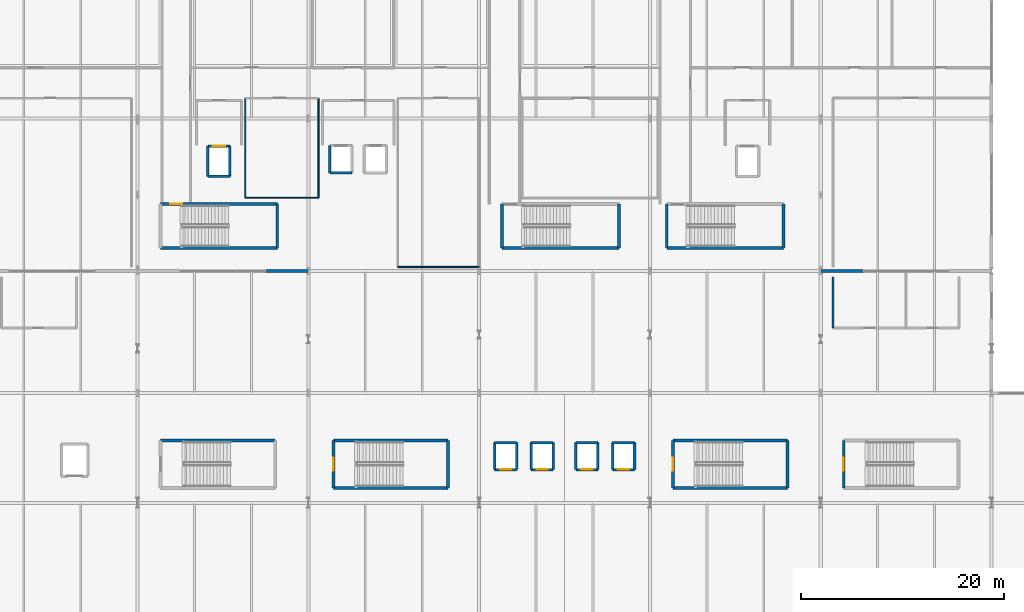
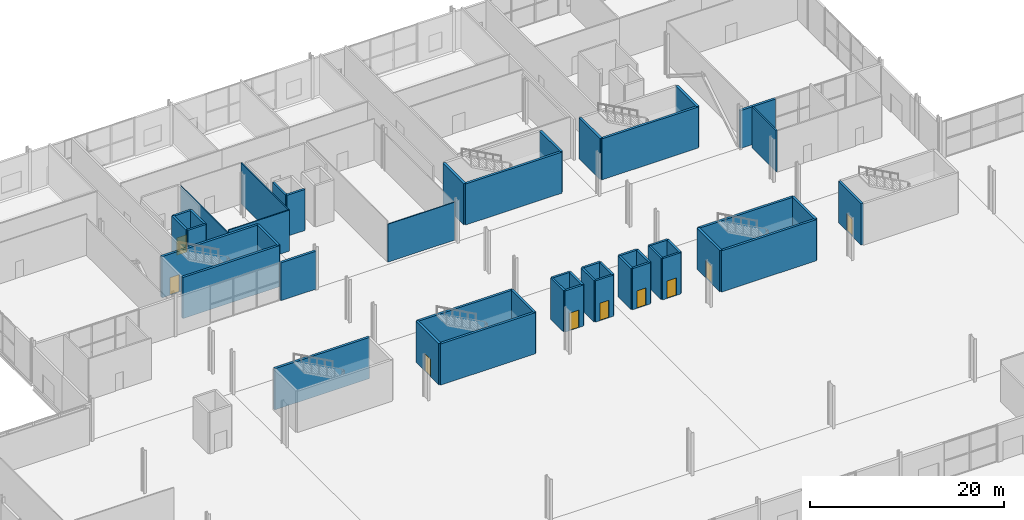
# One storey, part 64 of 87: 48 walls, 9 doors, 9 openings.
"""IFC4 building model written with IfcOpenShell, lengths in metres."""

from ifc_helpers import new_model, si_unit, direction, frame, frame_2d, origin, place, context, subcontext, project, spatial, rectangle, extrude, material, layer, layer_set, type_object, element, fill, save


model = new_model("IFC4")

# Units and contexts
model_context = context("Model", 3, precision=1e-05, world=origin(), true_north=direction((0.0, 1.0)))
body_context = subcontext(model_context, "Body", "Model", "MODEL_VIEW")
ifc_project = project(units=[si_unit("LENGTHUNIT", "METRE"), si_unit("AREAUNIT", "SQUARE_METRE"), si_unit("VOLUMEUNIT", "CUBIC_METRE"), si_unit("PLANEANGLEUNIT", "RADIAN"), si_unit("MASSUNIT", "GRAM", prefix="KILO")], contexts=[model_context])

# Site, building, storey
site_placement = place(None, origin())
site = spatial("IfcSite", under=ifc_project, at=site_placement, CompositionType="ELEMENT")
building_placement = place(site_placement, origin())
building = spatial("IfcBuilding", under=site, at=building_placement, Name="Kimbaza Rail Terminus", CompositionType="ELEMENT")
storey_placement = place(building_placement, origin())
storey = spatial("IfcBuildingStorey", under=building, at=storey_placement, Name="L00", CompositionType="ELEMENT", Elevation=0.0)

# Walls
ifc_material_1 = material(Name="Precast concrete C40/50", Category="concrete")
ifc_layer_1 = layer(ifc_material_1, 0.280029296875)
ifc_layer_set_1 = layer_set([ifc_layer_1], Name="Precast concrete C40/50")
wall_type_1 = type_object("IfcWallType", Name="ARC-WL-EXT280", PredefinedType="STANDARD", material=ifc_layer_set_1)
for number, where, z_axis, x_axis, name in (
    (1, (84.60009765625, 103.0, 0.0), (0.0, 0.0, 1.0), (1.0, 0.0, 0.0), "Operations South Wall L00 1B"),
    (2, (139.199951171875, 103.0, 0.0), (0.0, 0.0, 1.0), (1.0, 0.0, 0.0), "Operations South Wall L00 5A"),
):
    element("IfcWall", number, at=place(storey_placement, frame(where, z_axis=z_axis, x_axis=x_axis)), inside=storey, type_object=wall_type_1, Name=name, PredefinedType="STANDARD", context=body_context, shape_type="SweptSolid", body=[
        extrude(rectangle(XDim=4.199951171875, YDim=0.280029296875, at=frame_2d((2.10009765625, 0.0))), origin(), (0.0, 0.0, 1.0), 4.764892578125),
    ])
ifc_material_2 = material(Name="Demountable acoustic glass wall", Category="glass")
ifc_layer_2 = layer(ifc_material_2, 0.110107421875)
ifc_layer_set_2 = layer_set([ifc_layer_2], Name="Demountable acoustic glass wall")
wall_type_2 = type_object("IfcWallType", Name="ARC-WL-MOV110", PredefinedType="MOVABLE", material=ifc_layer_set_2)
wall_1_placement = place(storey_placement, frame((97.60009765625, 103.39990234375, 0.0), z_axis=(0.0, 0.0, 1.0), x_axis=(1.0, 0.0, 0.0)))
element("IfcWall", 3, at=wall_1_placement, inside=storey, type_object=wall_type_2, Name="L00 Network Dispatch Briefing Room Partition (south)", PredefinedType="MOVABLE", context=body_context, shape_type="SweptSolid", body=[
    extrude(rectangle(XDim=8.0, YDim=0.110107421875, at=frame_2d((4.0, 0.0))), origin(), (0.0, 0.0, 1.0), 4.764892578125),
])
ifc_material_3 = material(Name="Moisture-resistant stud wall", Category="gypsum")
ifc_layer_3 = layer(ifc_material_3, 0.1201171875)
ifc_layer_set_3 = layer_set([ifc_layer_3], Name="Moisture-resistant stud wall")
wall_type_3 = type_object("IfcWallType", Name="ARC-WL-PART120", PredefinedType="PARTITIONING", material=ifc_layer_set_3)
wall_2_placement = place(storey_placement, frame((82.60009765625, 110.199951171875, 0.0), z_axis=(0.0, 0.0, 1.0), x_axis=(1.0, 0.0, 0.0)))
element("IfcWall", 4, at=wall_2_placement, inside=storey, type_object=wall_type_3, Name="L00 Traction Metering Workshop Partition (south)", PredefinedType="PARTITIONING", context=body_context, shape_type="SweptSolid", body=[
    extrude(rectangle(XDim=7.199951171875, YDim=0.1201171875, at=frame_2d((3.60009765625, 0.0))), origin(), (0.0, 0.0, 1.0), 5.159912109375),
])
wall_3_placement = place(storey_placement, frame((89.800048828125, 110.199951171875, 0.0), z_axis=(0.0, 0.0, 1.0), x_axis=(0.0, 1.0, 0.0)))
element("IfcWall", 5, at=wall_3_placement, inside=storey, type_object=wall_type_3, Name="L00 Traction Metering Workshop Partition (east)", PredefinedType="PARTITIONING", context=body_context, shape_type="SweptSolid", body=[
    extrude(rectangle(XDim=9.800048828125, YDim=0.1201171875, at=frame_2d((4.89990234375, 0.0))), origin(), (0.0, 0.0, 1.0), 5.159912109375),
])
wall_4_placement = place(storey_placement, frame((82.60009765625, 120.0, 0.0), z_axis=(0.0, 0.0, 1.0), x_axis=(0.0, -1.0, 0.0)))
element("IfcWall", 6, at=wall_4_placement, inside=storey, type_object=wall_type_3, Name="L00 Traction Metering Workshop Partition (west)", PredefinedType="PARTITIONING", context=body_context, shape_type="SweptSolid", body=[
    extrude(rectangle(XDim=9.800048828125, YDim=0.1201171875, at=frame_2d((4.89990234375, 0.0))), origin(), (0.0, 0.0, 1.0), 4.794921875),
])
ifc_material_4 = material(Name="Moisture-resistant blockwork C25/30", Category="masonry")
ifc_layer_4 = layer(ifc_material_4, 0.169921875)
ifc_layer_set_4 = layer_set([ifc_layer_4], Name="Moisture-resistant blockwork C25/30")
wall_type_4 = type_object("IfcWallType", Name="ARC-WL-PLMB170", PredefinedType="PLUMBINGWALL", material=ifc_layer_set_4)
wall_5_placement = place(storey_placement, frame((140.39990234375, 102.39990234375, 0.0), z_axis=(0.0, 0.0, 1.0), x_axis=(0.0, -1.0, 0.0)))
element("IfcWall", 7, at=wall_5_placement, inside=storey, type_object=wall_type_4, Name="Main Concourse Male WC Partition (west)", PredefinedType="PLUMBINGWALL", context=body_context, shape_type="SweptSolid", body=[
    extrude(rectangle(XDim=5.0, YDim=0.169921875, at=frame_2d((2.5, 0.0))), origin(), (0.0, 0.0, 1.0), 5.159912109375),
])

# Wall, opening, door
ifc_material_5 = material(Name="Concrete C40/50", Category="concrete")
ifc_layer_5 = layer(ifc_material_5, 0.25)
ifc_layer_set_5 = layer_set([ifc_layer_5], Name="Concrete C40/50")
wall_type_5 = type_object("IfcWallType", Name="STR-WL-CORE250", PredefinedType="SHEAR", material=ifc_layer_set_5)
wall_6_placement = place(storey_placement, frame((107.1201171875, 83.469970703125, 0.0), z_axis=(0.0, 0.0, 1.0), x_axis=(1.0, 0.0, 0.0)))
wall_6 = element("IfcWall", 8, at=wall_6_placement, inside=storey, type_object=wall_type_5, Name="Lift Shaft Wall LP-01 L00-1", PredefinedType="SHEAR", context=body_context, shape_type="SweptSolid", body=[
    extrude(rectangle(XDim=2.159912109375, YDim=0.25, at=frame_2d((1.080078125, 0.0))), origin(), (0.0, 0.0, 1.0), 5.179931640625),
])
opening_1_placement = place(wall_6_placement, frame((0.530029296875, 0.0, 0.0)))
opening_1 = element("IfcOpeningElement", 9, at=opening_1_placement, cuts=wall_6, Name="Opening LD-01", PredefinedType="OPENING", context=body_context, shape_type="SweptSolid", body=[
    extrude(rectangle(XDim=1.10009765625, YDim=2.199951171875, at=frame_2d((0.550048828125, 1.10009765625))), frame((0.0, 0.135009765625, 0.0), z_axis=(0.0, -1.0, 0.0), x_axis=(1.0, 0.0, 0.0)), (0.0, 0.0, 1.0), 0.27001953125),
])
ifc_material_6 = material(Name="Brushed stainless steel sliding landing door", Category="steel")
door_type_1 = type_object("IfcDoorType", Name="ARC-DR-LD110", OperationType="NOTDEFINED", PredefinedType="DOOR", material=ifc_material_6)
door_1_placement = place(opening_1_placement, origin())
door_1 = element("IfcDoor", 10, at=door_1_placement, inside=storey, type_object=door_type_1, Name="LDR-LP-01-L00", OperationType="SLIDING_TO_RIGHT", OverallHeight=2.199951171875, OverallWidth=1.10009765625, PredefinedType="DOOR", context=body_context, shape_type="SweptSolid", body=[
    extrude(rectangle(XDim=1.10009765625, YDim=2.199951171875, at=frame_2d((0.550048828125, 1.10009765625))), frame((0.0, 0.02490234375, 0.0), z_axis=(0.0, -1.0, 0.0), x_axis=(1.0, 0.0, 0.0)), (0.0, 0.0, 1.0), 0.050048828125),
])
fill(opening_1, door_1)

# Walls
wall_7_placement = place(storey_placement, frame((109.280029296875, 83.469970703125, 0.0), z_axis=(0.0, 0.0, 1.0), x_axis=(0.0, 1.0, 0.0)))
element("IfcWall", 11, at=wall_7_placement, inside=storey, type_object=wall_type_5, Name="Lift Shaft Wall LP-01 L00-2", PredefinedType="SHEAR", context=body_context, shape_type="SweptSolid", body=[
    extrude(rectangle(XDim=2.659912109375, YDim=0.25, at=frame_2d((1.330078125, 0.0))), origin(), (0.0, 0.0, 1.0), 5.179931640625),
])
wall_8_placement = place(storey_placement, frame((109.280029296875, 86.1298828125, 0.0), z_axis=(0.0, 0.0, 1.0), x_axis=(-1.0, 0.0, 0.0)))
element("IfcWall", 12, at=wall_8_placement, inside=storey, type_object=wall_type_5, Name="Lift Shaft Wall LP-01 L00-3", PredefinedType="SHEAR", context=body_context, shape_type="SweptSolid", body=[
    extrude(rectangle(XDim=2.159912109375, YDim=0.25, at=frame_2d((1.080078125, 0.0))), origin(), (0.0, 0.0, 1.0), 5.179931640625),
])
wall_9_placement = place(storey_placement, frame((107.1201171875, 86.1298828125, 0.0), z_axis=(0.0, 0.0, 1.0), x_axis=(0.0, -1.0, 0.0)))
element("IfcWall", 13, at=wall_9_placement, inside=storey, type_object=wall_type_5, Name="Lift Shaft Wall LP-01 L00-4", PredefinedType="SHEAR", context=body_context, shape_type="SweptSolid", body=[
    extrude(rectangle(XDim=2.659912109375, YDim=0.25, at=frame_2d((1.330078125, 0.0))), origin(), (0.0, 0.0, 1.0), 5.179931640625),
])

# Wall, opening, door
wall_10_placement = place(storey_placement, frame((110.719970703125, 83.469970703125, 0.0), z_axis=(0.0, 0.0, 1.0), x_axis=(1.0, 0.0, 0.0)))
wall_10 = element("IfcWall", 14, at=wall_10_placement, inside=storey, type_object=wall_type_5, Name="Lift Shaft Wall LP-02 L00-1", PredefinedType="SHEAR", context=body_context, shape_type="SweptSolid", body=[
    extrude(rectangle(XDim=2.159912109375, YDim=0.25, at=frame_2d((1.080078125, 0.0))), origin(), (0.0, 0.0, 1.0), 5.179931640625),
])
opening_2_placement = place(wall_10_placement, frame((0.530029296875, 0.0, 0.0)))
opening_2 = element("IfcOpeningElement", 15, at=opening_2_placement, cuts=wall_10, Name="Opening LD-01", PredefinedType="OPENING", context=body_context, shape_type="SweptSolid", body=[
    extrude(rectangle(XDim=1.10009765625, YDim=2.199951171875, at=frame_2d((0.550048828125, 1.10009765625))), frame((0.0, 0.135009765625, 0.0), z_axis=(0.0, -1.0, 0.0), x_axis=(1.0, 0.0, 0.0)), (0.0, 0.0, 1.0), 0.27001953125),
])
door_2_placement = place(opening_2_placement, origin())
door_2 = element("IfcDoor", 16, at=door_2_placement, inside=storey, type_object=door_type_1, Name="LDR-LP-02-L00", OperationType="SLIDING_TO_RIGHT", OverallHeight=2.199951171875, OverallWidth=1.10009765625, PredefinedType="DOOR", context=body_context, shape_type="SweptSolid", body=[
    extrude(rectangle(XDim=1.10009765625, YDim=2.199951171875, at=frame_2d((0.550048828125, 1.10009765625))), frame((0.0, 0.02490234375, 0.0), z_axis=(0.0, -1.0, 0.0), x_axis=(1.0, 0.0, 0.0)), (0.0, 0.0, 1.0), 0.050048828125),
])
fill(opening_2, door_2)

# Walls
wall_11_placement = place(storey_placement, frame((112.8798828125, 83.469970703125, 0.0), z_axis=(0.0, 0.0, 1.0), x_axis=(0.0, 1.0, 0.0)))
element("IfcWall", 17, at=wall_11_placement, inside=storey, type_object=wall_type_5, Name="Lift Shaft Wall LP-02 L00-2", PredefinedType="SHEAR", context=body_context, shape_type="SweptSolid", body=[
    extrude(rectangle(XDim=2.659912109375, YDim=0.25, at=frame_2d((1.330078125, 0.0))), origin(), (0.0, 0.0, 1.0), 5.179931640625),
])
wall_12_placement = place(storey_placement, frame((112.8798828125, 86.1298828125, 0.0), z_axis=(0.0, 0.0, 1.0), x_axis=(-1.0, 0.0, 0.0)))
element("IfcWall", 18, at=wall_12_placement, inside=storey, type_object=wall_type_5, Name="Lift Shaft Wall LP-02 L00-3", PredefinedType="SHEAR", context=body_context, shape_type="SweptSolid", body=[
    extrude(rectangle(XDim=2.159912109375, YDim=0.25, at=frame_2d((1.080078125, 0.0))), origin(), (0.0, 0.0, 1.0), 5.179931640625),
])
wall_13_placement = place(storey_placement, frame((110.719970703125, 86.1298828125, 0.0), z_axis=(0.0, 0.0, 1.0), x_axis=(0.0, -1.0, 0.0)))
element("IfcWall", 19, at=wall_13_placement, inside=storey, type_object=wall_type_5, Name="Lift Shaft Wall LP-02 L00-4", PredefinedType="SHEAR", context=body_context, shape_type="SweptSolid", body=[
    extrude(rectangle(XDim=2.659912109375, YDim=0.25, at=frame_2d((1.330078125, 0.0))), origin(), (0.0, 0.0, 1.0), 5.179931640625),
])

# Wall, opening, door
wall_14_placement = place(storey_placement, frame((115.1201171875, 83.469970703125, 0.0), z_axis=(0.0, 0.0, 1.0), x_axis=(1.0, 0.0, 0.0)))
wall_14 = element("IfcWall", 20, at=wall_14_placement, inside=storey, type_object=wall_type_5, Name="Lift Shaft Wall LP-03 L00-1", PredefinedType="SHEAR", context=body_context, shape_type="SweptSolid", body=[
    extrude(rectangle(XDim=2.159912109375, YDim=0.25, at=frame_2d((1.080078125, 0.0))), origin(), (0.0, 0.0, 1.0), 5.179931640625),
])
opening_3_placement = place(wall_14_placement, frame((0.530029296875, 0.0, 0.0)))
opening_3 = element("IfcOpeningElement", 21, at=opening_3_placement, cuts=wall_14, Name="Opening LD-01", PredefinedType="OPENING", context=body_context, shape_type="SweptSolid", body=[
    extrude(rectangle(XDim=1.10009765625, YDim=2.199951171875, at=frame_2d((0.550048828125, 1.10009765625))), frame((0.0, 0.135009765625, 0.0), z_axis=(0.0, -1.0, 0.0), x_axis=(1.0, 0.0, 0.0)), (0.0, 0.0, 1.0), 0.27001953125),
])
door_3_placement = place(opening_3_placement, origin())
door_3 = element("IfcDoor", 22, at=door_3_placement, inside=storey, type_object=door_type_1, Name="LDR-LP-03-L00", OperationType="SLIDING_TO_RIGHT", OverallHeight=2.199951171875, OverallWidth=1.10009765625, PredefinedType="DOOR", context=body_context, shape_type="SweptSolid", body=[
    extrude(rectangle(XDim=1.10009765625, YDim=2.199951171875, at=frame_2d((0.550048828125, 1.10009765625))), frame((0.0, 0.02490234375, 0.0), z_axis=(0.0, -1.0, 0.0), x_axis=(1.0, 0.0, 0.0)), (0.0, 0.0, 1.0), 0.050048828125),
])
fill(opening_3, door_3)

# Walls
wall_15_placement = place(storey_placement, frame((117.280029296875, 83.469970703125, 0.0), z_axis=(0.0, 0.0, 1.0), x_axis=(0.0, 1.0, 0.0)))
element("IfcWall", 23, at=wall_15_placement, inside=storey, type_object=wall_type_5, Name="Lift Shaft Wall LP-03 L00-2", PredefinedType="SHEAR", context=body_context, shape_type="SweptSolid", body=[
    extrude(rectangle(XDim=2.659912109375, YDim=0.25, at=frame_2d((1.330078125, 0.0))), origin(), (0.0, 0.0, 1.0), 5.179931640625),
])
wall_16_placement = place(storey_placement, frame((117.280029296875, 86.1298828125, 0.0), z_axis=(0.0, 0.0, 1.0), x_axis=(-1.0, 0.0, 0.0)))
element("IfcWall", 24, at=wall_16_placement, inside=storey, type_object=wall_type_5, Name="Lift Shaft Wall LP-03 L00-3", PredefinedType="SHEAR", context=body_context, shape_type="SweptSolid", body=[
    extrude(rectangle(XDim=2.159912109375, YDim=0.25, at=frame_2d((1.080078125, 0.0))), origin(), (0.0, 0.0, 1.0), 5.179931640625),
])
wall_17_placement = place(storey_placement, frame((115.1201171875, 86.1298828125, 0.0), z_axis=(0.0, 0.0, 1.0), x_axis=(0.0, -1.0, 0.0)))
element("IfcWall", 25, at=wall_17_placement, inside=storey, type_object=wall_type_5, Name="Lift Shaft Wall LP-03 L00-4", PredefinedType="SHEAR", context=body_context, shape_type="SweptSolid", body=[
    extrude(rectangle(XDim=2.659912109375, YDim=0.25, at=frame_2d((1.330078125, 0.0))), origin(), (0.0, 0.0, 1.0), 5.179931640625),
])

# Wall, opening, door
wall_18_placement = place(storey_placement, frame((118.719970703125, 83.469970703125, 0.0), z_axis=(0.0, 0.0, 1.0), x_axis=(1.0, 0.0, 0.0)))
wall_18 = element("IfcWall", 26, at=wall_18_placement, inside=storey, type_object=wall_type_5, Name="Lift Shaft Wall LP-04 L00-1", PredefinedType="SHEAR", context=body_context, shape_type="SweptSolid", body=[
    extrude(rectangle(XDim=2.159912109375, YDim=0.25, at=frame_2d((1.080078125, 0.0))), origin(), (0.0, 0.0, 1.0), 5.179931640625),
])
opening_4_placement = place(wall_18_placement, frame((0.530029296875, 0.0, 0.0)))
opening_4 = element("IfcOpeningElement", 27, at=opening_4_placement, cuts=wall_18, Name="Opening LD-01", PredefinedType="OPENING", context=body_context, shape_type="SweptSolid", body=[
    extrude(rectangle(XDim=1.10009765625, YDim=2.199951171875, at=frame_2d((0.550048828125, 1.10009765625))), frame((0.0, 0.135009765625, 0.0), z_axis=(0.0, -1.0, 0.0), x_axis=(1.0, 0.0, 0.0)), (0.0, 0.0, 1.0), 0.27001953125),
])
door_4_placement = place(opening_4_placement, origin())
door_4 = element("IfcDoor", 28, at=door_4_placement, inside=storey, type_object=door_type_1, Name="LDR-LP-04-L00", OperationType="SLIDING_TO_RIGHT", OverallHeight=2.199951171875, OverallWidth=1.10009765625, PredefinedType="DOOR", context=body_context, shape_type="SweptSolid", body=[
    extrude(rectangle(XDim=1.10009765625, YDim=2.199951171875, at=frame_2d((0.550048828125, 1.10009765625))), frame((0.0, 0.02490234375, 0.0), z_axis=(0.0, -1.0, 0.0), x_axis=(1.0, 0.0, 0.0)), (0.0, 0.0, 1.0), 0.050048828125),
])
fill(opening_4, door_4)

# Walls
wall_19_placement = place(storey_placement, frame((120.8798828125, 83.469970703125, 0.0), z_axis=(0.0, 0.0, 1.0), x_axis=(0.0, 1.0, 0.0)))
element("IfcWall", 29, at=wall_19_placement, inside=storey, type_object=wall_type_5, Name="Lift Shaft Wall LP-04 L00-2", PredefinedType="SHEAR", context=body_context, shape_type="SweptSolid", body=[
    extrude(rectangle(XDim=2.659912109375, YDim=0.25, at=frame_2d((1.330078125, 0.0))), origin(), (0.0, 0.0, 1.0), 5.179931640625),
])
wall_20_placement = place(storey_placement, frame((120.8798828125, 86.1298828125, 0.0), z_axis=(0.0, 0.0, 1.0), x_axis=(-1.0, 0.0, 0.0)))
element("IfcWall", 30, at=wall_20_placement, inside=storey, type_object=wall_type_5, Name="Lift Shaft Wall LP-04 L00-3", PredefinedType="SHEAR", context=body_context, shape_type="SweptSolid", body=[
    extrude(rectangle(XDim=2.159912109375, YDim=0.25, at=frame_2d((1.080078125, 0.0))), origin(), (0.0, 0.0, 1.0), 5.179931640625),
])
wall_21_placement = place(storey_placement, frame((118.719970703125, 86.1298828125, 0.0), z_axis=(0.0, 0.0, 1.0), x_axis=(0.0, -1.0, 0.0)))
element("IfcWall", 31, at=wall_21_placement, inside=storey, type_object=wall_type_5, Name="Lift Shaft Wall LP-04 L00-4", PredefinedType="SHEAR", context=body_context, shape_type="SweptSolid", body=[
    extrude(rectangle(XDim=2.659912109375, YDim=0.25, at=frame_2d((1.330078125, 0.0))), origin(), (0.0, 0.0, 1.0), 5.179931640625),
])
wall_22_placement = place(storey_placement, frame((90.919921875, 112.669921875, 0.0), z_axis=(0.0, 0.0, 1.0), x_axis=(1.0, 0.0, 0.0)))
element("IfcWall", 32, at=wall_22_placement, inside=storey, type_object=wall_type_5, Name="Lift Shaft Wall LP-08 L00-1", PredefinedType="SHEAR", context=body_context, shape_type="SweptSolid", body=[
    extrude(rectangle(XDim=2.16015625, YDim=0.25, at=frame_2d((1.080078125, 0.0))), origin(), (0.0, 0.0, 1.0), 5.159912109375),
])
wall_23_placement = place(storey_placement, frame((90.919921875, 115.330078125, 0.0), z_axis=(0.0, 0.0, 1.0), x_axis=(0.0, -1.0, 0.0)))
element("IfcWall", 33, at=wall_23_placement, inside=storey, type_object=wall_type_5, Name="Lift Shaft Wall LP-08 L00-4", PredefinedType="SHEAR", context=body_context, shape_type="SweptSolid", body=[
    extrude(rectangle(XDim=2.66015625, YDim=0.25, at=frame_2d((1.330078125, 0.0))), origin(), (0.0, 0.0, 1.0), 5.159912109375),
])
wall_24_placement = place(storey_placement, frame((78.919921875, 112.320068359375, 0.0), z_axis=(0.0, 0.0, 1.0), x_axis=(1.0, 0.0, 0.0)))
element("IfcWall", 34, at=wall_24_placement, inside=storey, type_object=wall_type_5, Name="Lift Shaft Wall LF-01 L00-1", PredefinedType="SHEAR", context=body_context, shape_type="SweptSolid", body=[
    extrude(rectangle(XDim=2.16015625, YDim=0.25, at=frame_2d((1.080078125, 0.0))), origin(), (0.0, 0.0, 1.0), 5.159912109375),
])
wall_25_placement = place(storey_placement, frame((81.080078125, 112.320068359375, 0.0), z_axis=(0.0, 0.0, 1.0), x_axis=(0.0, 1.0, 0.0)))
element("IfcWall", 35, at=wall_25_placement, inside=storey, type_object=wall_type_5, Name="Lift Shaft Wall LF-01 L00-2", PredefinedType="SHEAR", context=body_context, shape_type="SweptSolid", body=[
    extrude(rectangle(XDim=2.9599609375, YDim=0.25, at=frame_2d((1.47998046875, 0.0))), origin(), (0.0, 0.0, 1.0), 5.159912109375),
])

# Wall, opening, door
wall_26_placement = place(storey_placement, frame((81.080078125, 115.280029296875, 0.0), z_axis=(0.0, 0.0, 1.0), x_axis=(-1.0, 0.0, 0.0)))
wall_26 = element("IfcWall", 36, at=wall_26_placement, inside=storey, type_object=wall_type_5, Name="Lift Shaft Wall LF-01 L00-3", PredefinedType="SHEAR", context=body_context, shape_type="SweptSolid", body=[
    extrude(rectangle(XDim=2.16015625, YDim=0.25, at=frame_2d((1.080078125, 0.0))), origin(), (0.0, 0.0, 1.0), 5.159912109375),
])
opening_5_placement = place(wall_26_placement, frame((0.47998046875, 0.0, 0.0)))
opening_5 = element("IfcOpeningElement", 37, at=opening_5_placement, cuts=wall_26, Name="Opening LD-02", PredefinedType="OPENING", context=body_context, shape_type="SweptSolid", body=[
    extrude(rectangle(XDim=1.199951171875, YDim=2.199951171875, at=frame_2d((0.60009765625, 1.10009765625))), frame((0.0, 0.135009765625, 0.0), z_axis=(0.0, -1.0, 0.0), x_axis=(1.0, 0.0, 0.0)), (0.0, 0.0, 1.0), 0.27001953125),
])
ifc_material_7 = material(Name="Firefighting stainless steel landing door", Category="steel")
door_type_2 = type_object("IfcDoorType", Name="ARC-DR-LD120", OperationType="NOTDEFINED", PredefinedType="DOOR", material=ifc_material_7)
door_5_placement = place(opening_5_placement, origin())
door_5 = element("IfcDoor", 38, at=door_5_placement, inside=storey, type_object=door_type_2, Name="LDR-LF-01-L00", OperationType="SLIDING_TO_RIGHT", OverallHeight=2.199951171875, OverallWidth=1.199951171875, PredefinedType="DOOR", context=body_context, shape_type="SweptSolid", body=[
    extrude(rectangle(XDim=1.199951171875, YDim=2.199951171875, at=frame_2d((0.60009765625, 1.10009765625))), frame((0.0, 0.02490234375, 0.0), z_axis=(0.0, -1.0, 0.0), x_axis=(1.0, 0.0, 0.0)), (0.0, 0.0, 1.0), 0.050048828125),
])
fill(opening_5, door_5)

# Walls
wall_27_placement = place(storey_placement, frame((78.919921875, 115.280029296875, 0.0), z_axis=(0.0, 0.0, 1.0), x_axis=(0.0, -1.0, 0.0)))
element("IfcWall", 39, at=wall_27_placement, inside=storey, type_object=wall_type_5, Name="Lift Shaft Wall LF-01 L00-4", PredefinedType="SHEAR", context=body_context, shape_type="SweptSolid", body=[
    extrude(rectangle(XDim=2.9599609375, YDim=0.25, at=frame_2d((1.47998046875, 0.0))), origin(), (0.0, 0.0, 1.0), 5.159912109375),
])
ifc_material_8 = material(Name="Concrete C40/50", Category="concrete")
ifc_layer_6 = layer(ifc_material_8, 0.280029296875)
ifc_layer_set_6 = layer_set([ifc_layer_6], Name="Concrete C40/50")
wall_type_6 = type_object("IfcWallType", Name="STR-WL-CORE280", PredefinedType="SHEAR", material=ifc_layer_set_6)
wall_28_placement = place(storey_placement, frame((74.260009765625, 105.260009765625, 0.0), z_axis=(0.0, 0.0, 1.0), x_axis=(1.0, 0.0, 0.0)))
element("IfcWall", 40, at=wall_28_placement, inside=storey, type_object=wall_type_6, Name="Operations West Exit Stair Shaft Wall L00-1", PredefinedType="SHEAR", context=body_context, shape_type="SweptSolid", body=[
    extrude(rectangle(XDim=11.47998046875, YDim=0.280029296875, at=frame_2d((5.739990234375, 0.0))), origin(), (0.0, 0.0, 1.0), 5.159912109375),
])
wall_29_placement = place(storey_placement, frame((85.739990234375, 105.260009765625, 0.0), z_axis=(0.0, 0.0, 1.0), x_axis=(0.0, 1.0, 0.0)))
element("IfcWall", 41, at=wall_29_placement, inside=storey, type_object=wall_type_6, Name="Operations West Exit Stair Shaft Wall L00-2", PredefinedType="SHEAR", context=body_context, shape_type="SweptSolid", body=[
    extrude(rectangle(XDim=4.320068359375, YDim=0.280029296875, at=frame_2d((2.16015625, 0.0))), origin(), (0.0, 0.0, 1.0), 5.159912109375),
])

# Wall, opening, door
wall_30_placement = place(storey_placement, frame((85.739990234375, 109.580078125, 0.0), z_axis=(0.0, 0.0, 1.0), x_axis=(-1.0, 0.0, 0.0)))
wall_30 = element("IfcWall", 42, at=wall_30_placement, inside=storey, type_object=wall_type_6, Name="Operations West Exit Stair Shaft Wall L00-3", PredefinedType="SHEAR", context=body_context, shape_type="SweptSolid", body=[
    extrude(rectangle(XDim=11.47998046875, YDim=0.280029296875, at=frame_2d((5.739990234375, 0.0))), origin(), (0.0, 0.0, 1.0), 5.159912109375),
])
opening_6_placement = place(wall_30_placement, frame((9.364990234375, 0.0, 0.0)))
opening_6 = element("IfcOpeningElement", 43, at=opening_6_placement, cuts=wall_30, Name="Opening FD-03", PredefinedType="OPENING", context=body_context, shape_type="SweptSolid", body=[
    extrude(rectangle(XDim=1.14990234375, YDim=2.199951171875, at=frame_2d((0.574951171875, 1.10009765625))), frame((0.0, 0.14990234375, 0.0), z_axis=(0.0, -1.0, 0.0), x_axis=(1.0, 0.0, 0.0)), (0.0, 0.0, 1.0), 0.300048828125),
])
ifc_material_9 = material(Name="Firefighting lobby self-closing steel door", Category="steel")
door_type_3 = type_object("IfcDoorType", Name="ARC-DR-FD115", OperationType="NOTDEFINED", PredefinedType="DOOR", material=ifc_material_9)
door_6_placement = place(opening_6_placement, origin())
door_6 = element("IfcDoor", 44, at=door_6_placement, inside=storey, type_object=door_type_3, Name="SDR-ST-W1-L00", OperationType="SINGLE_SWING_RIGHT", OverallHeight=2.199951171875, OverallWidth=1.14990234375, PredefinedType="DOOR", context=body_context, shape_type="SweptSolid", body=[
    extrude(rectangle(XDim=1.14990234375, YDim=2.199951171875, at=frame_2d((0.574951171875, 1.10009765625))), frame((0.0, 0.02490234375, 0.0), z_axis=(0.0, -1.0, 0.0), x_axis=(1.0, 0.0, 0.0)), (0.0, 0.0, 1.0), 0.050048828125),
])
fill(opening_6, door_6)

# Walls
wall_31_placement = place(storey_placement, frame((107.860107421875, 105.260009765625, 0.0), z_axis=(0.0, 0.0, 1.0), x_axis=(1.0, 0.0, 0.0)))
element("IfcWall", 45, at=wall_31_placement, inside=storey, type_object=wall_type_6, Name="Operations Central Exit Stair Shaft Wall L00-1", PredefinedType="SHEAR", context=body_context, shape_type="SweptSolid", body=[
    extrude(rectangle(XDim=11.47998046875, YDim=0.280029296875, at=frame_2d((5.739990234375, 0.0))), origin(), (0.0, 0.0, 1.0), 5.159912109375),
])
for number, where, z_axis, x_axis, name in (
    (46, (119.340087890625, 105.260009765625, 0.0), (0.0, 0.0, 1.0), (0.0, 1.0, 0.0), "Operations Central Exit Stair Shaft Wall L00-2"),
    (47, (107.860107421875, 109.580078125, 0.0), (0.0, 0.0, 1.0), (0.0, -1.0, 0.0), "Operations Central Exit Stair Shaft Wall L00-4"),
):
    element("IfcWall", number, at=place(storey_placement, frame(where, z_axis=z_axis, x_axis=x_axis)), inside=storey, type_object=wall_type_6, Name=name, PredefinedType="SHEAR", context=body_context, shape_type="SweptSolid", body=[
        extrude(rectangle(XDim=4.320068359375, YDim=0.280029296875, at=frame_2d((2.16015625, 0.0))), origin(), (0.0, 0.0, 1.0), 5.159912109375),
    ])
wall_32_placement = place(storey_placement, frame((124.06005859375, 105.260009765625, 0.0), z_axis=(0.0, 0.0, 1.0), x_axis=(1.0, 0.0, 0.0)))
element("IfcWall", 48, at=wall_32_placement, inside=storey, type_object=wall_type_6, Name="Operations East Exit Stair Shaft Wall L00-1", PredefinedType="SHEAR", context=body_context, shape_type="SweptSolid", body=[
    extrude(rectangle(XDim=11.47998046875, YDim=0.280029296875, at=frame_2d((5.739990234375, 0.0))), origin(), (0.0, 0.0, 1.0), 5.159912109375),
])
for number, where, z_axis, x_axis, name in (
    (49, (135.5400390625, 105.260009765625, 0.0), (0.0, 0.0, 1.0), (0.0, 1.0, 0.0), "Operations East Exit Stair Shaft Wall L00-2"),
    (50, (124.06005859375, 109.580078125, 0.0), (0.0, 0.0, 1.0), (0.0, -1.0, 0.0), "Operations East Exit Stair Shaft Wall L00-4"),
):
    element("IfcWall", number, at=place(storey_placement, frame(where, z_axis=z_axis, x_axis=x_axis)), inside=storey, type_object=wall_type_6, Name=name, PredefinedType="SHEAR", context=body_context, shape_type="SweptSolid", body=[
        extrude(rectangle(XDim=4.320068359375, YDim=0.280029296875, at=frame_2d((2.16015625, 0.0))), origin(), (0.0, 0.0, 1.0), 5.159912109375),
    ])
wall_33_placement = place(storey_placement, frame((85.5400390625, 86.340087890625, 0.0), z_axis=(0.0, 0.0, 1.0), x_axis=(-1.0, 0.0, 0.0)))
element("IfcWall", 51, at=wall_33_placement, inside=storey, type_object=wall_type_6, Name="Platform West Concourse Stair Shaft Wall L00-3", PredefinedType="SHEAR", context=body_context, shape_type="SweptSolid", body=[
    extrude(rectangle(XDim=11.280029296875, YDim=0.280029296875, at=frame_2d((5.64013671875, 0.0))), origin(), (0.0, 0.0, 1.0), 5.179931640625),
])

# Wall, opening, door
wall_34_placement = place(storey_placement, frame((141.4599609375, 86.340087890625, 0.0), z_axis=(0.0, 0.0, 1.0), x_axis=(0.0, -1.0, 0.0)))
wall_34 = element("IfcWall", 52, at=wall_34_placement, inside=storey, type_object=wall_type_6, Name="Platform East Concourse Stair Shaft Wall L00-4", PredefinedType="SHEAR", context=body_context, shape_type="SweptSolid", body=[
    extrude(rectangle(XDim=4.68017578125, YDim=0.280029296875, at=frame_2d((2.340087890625, 0.0))), origin(), (0.0, 0.0, 1.0), 5.179931640625),
])
opening_7_placement = place(wall_34_placement, frame((1.715087890625, 0.0, 0.0)))
opening_7 = element("IfcOpeningElement", 53, at=opening_7_placement, cuts=wall_34, Name="Opening FD-02", PredefinedType="OPENING", context=body_context, shape_type="SweptSolid", body=[
    extrude(rectangle(XDim=1.25, YDim=2.199951171875, at=frame_2d((0.625, 1.10009765625))), frame((0.0, 0.14990234375, 0.0), z_axis=(0.0, -1.0, 0.0), x_axis=(1.0, 0.0, 0.0)), (0.0, 0.0, 1.0), 0.300048828125),
])
ifc_material_10 = material(Name="Galvanised painted steel fire stair door", Category="steel")
door_type_4 = type_object("IfcDoorType", Name="ARC-DR-FD125", OperationType="NOTDEFINED", PredefinedType="DOOR", material=ifc_material_10)
door_7_placement = place(opening_7_placement, origin())
door_7 = element("IfcDoor", 54, at=door_7_placement, inside=storey, type_object=door_type_4, Name="SDR-ST-C2-L00", OperationType="SINGLE_SWING_RIGHT", OverallHeight=2.199951171875, OverallWidth=1.25, PredefinedType="DOOR", context=body_context, shape_type="SweptSolid", body=[
    extrude(rectangle(XDim=1.25, YDim=2.199951171875, at=frame_2d((0.625, 1.10009765625))), frame((0.0, 0.02490234375, 0.0), z_axis=(0.0, -1.0, 0.0), x_axis=(1.0, 0.0, 0.0)), (0.0, 0.0, 1.0), 0.050048828125),
])
fill(opening_7, door_7)

# Walls
wall_35_placement = place(storey_placement, frame((91.260009765625, 81.659912109375, 0.0), z_axis=(0.0, 0.0, 1.0), x_axis=(1.0, 0.0, 0.0)))
element("IfcWall", 55, at=wall_35_placement, inside=storey, type_object=wall_type_6, Name="Footbridge West Platform Stair Shaft Wall L00-1", PredefinedType="SHEAR", context=body_context, shape_type="SweptSolid", body=[
    extrude(rectangle(XDim=11.280029296875, YDim=0.280029296875, at=frame_2d((5.64013671875, 0.0))), origin(), (0.0, 0.0, 1.0), 5.179931640625),
])
wall_36_placement = place(storey_placement, frame((102.5400390625, 81.659912109375, 0.0), z_axis=(0.0, 0.0, 1.0), x_axis=(0.0, 1.0, 0.0)))
element("IfcWall", 56, at=wall_36_placement, inside=storey, type_object=wall_type_6, Name="Footbridge West Platform Stair Shaft Wall L00-2", PredefinedType="SHEAR", context=body_context, shape_type="SweptSolid", body=[
    extrude(rectangle(XDim=4.68017578125, YDim=0.280029296875, at=frame_2d((2.340087890625, 0.0))), origin(), (0.0, 0.0, 1.0), 5.179931640625),
])
wall_37_placement = place(storey_placement, frame((102.5400390625, 86.340087890625, 0.0), z_axis=(0.0, 0.0, 1.0), x_axis=(-1.0, 0.0, 0.0)))
element("IfcWall", 57, at=wall_37_placement, inside=storey, type_object=wall_type_6, Name="Footbridge West Platform Stair Shaft Wall L00-3", PredefinedType="SHEAR", context=body_context, shape_type="SweptSolid", body=[
    extrude(rectangle(XDim=11.280029296875, YDim=0.280029296875, at=frame_2d((5.64013671875, 0.0))), origin(), (0.0, 0.0, 1.0), 5.179931640625),
])

# Wall, opening, door
wall_38_placement = place(storey_placement, frame((91.260009765625, 86.340087890625, 0.0), z_axis=(0.0, 0.0, 1.0), x_axis=(0.0, -1.0, 0.0)))
wall_38 = element("IfcWall", 58, at=wall_38_placement, inside=storey, type_object=wall_type_6, Name="Footbridge West Platform Stair Shaft Wall L00-4", PredefinedType="SHEAR", context=body_context, shape_type="SweptSolid", body=[
    extrude(rectangle(XDim=4.68017578125, YDim=0.280029296875, at=frame_2d((2.340087890625, 0.0))), origin(), (0.0, 0.0, 1.0), 5.179931640625),
])
opening_8_placement = place(wall_38_placement, frame((1.715087890625, 0.0, 0.0)))
opening_8 = element("IfcOpeningElement", 59, at=opening_8_placement, cuts=wall_38, Name="Opening FD-02", PredefinedType="OPENING", context=body_context, shape_type="SweptSolid", body=[
    extrude(rectangle(XDim=1.25, YDim=2.199951171875, at=frame_2d((0.625, 1.10009765625))), frame((0.0, 0.14990234375, 0.0), z_axis=(0.0, -1.0, 0.0), x_axis=(1.0, 0.0, 0.0)), (0.0, 0.0, 1.0), 0.300048828125),
])
door_8_placement = place(opening_8_placement, origin())
door_8 = element("IfcDoor", 60, at=door_8_placement, inside=storey, type_object=door_type_4, Name="SDR-ST-C3-L00", OperationType="SINGLE_SWING_RIGHT", OverallHeight=2.199951171875, OverallWidth=1.25, PredefinedType="DOOR", context=body_context, shape_type="SweptSolid", body=[
    extrude(rectangle(XDim=1.25, YDim=2.199951171875, at=frame_2d((0.625, 1.10009765625))), frame((0.0, 0.02490234375, 0.0), z_axis=(0.0, -1.0, 0.0), x_axis=(1.0, 0.0, 0.0)), (0.0, 0.0, 1.0), 0.050048828125),
])
fill(opening_8, door_8)

# Walls
wall_39_placement = place(storey_placement, frame((124.659912109375, 81.659912109375, 0.0), z_axis=(0.0, 0.0, 1.0), x_axis=(1.0, 0.0, 0.0)))
element("IfcWall", 61, at=wall_39_placement, inside=storey, type_object=wall_type_6, Name="Footbridge East Platform Stair Shaft Wall L00-1", PredefinedType="SHEAR", context=body_context, shape_type="SweptSolid", body=[
    extrude(rectangle(XDim=11.280029296875, YDim=0.280029296875, at=frame_2d((5.64013671875, 0.0))), origin(), (0.0, 0.0, 1.0), 5.179931640625),
])
wall_40_placement = place(storey_placement, frame((135.93994140625, 81.659912109375, 0.0), z_axis=(0.0, 0.0, 1.0), x_axis=(0.0, 1.0, 0.0)))
element("IfcWall", 62, at=wall_40_placement, inside=storey, type_object=wall_type_6, Name="Footbridge East Platform Stair Shaft Wall L00-2", PredefinedType="SHEAR", context=body_context, shape_type="SweptSolid", body=[
    extrude(rectangle(XDim=4.68017578125, YDim=0.280029296875, at=frame_2d((2.340087890625, 0.0))), origin(), (0.0, 0.0, 1.0), 5.179931640625),
])
wall_41_placement = place(storey_placement, frame((135.93994140625, 86.340087890625, 0.0), z_axis=(0.0, 0.0, 1.0), x_axis=(-1.0, 0.0, 0.0)))
element("IfcWall", 63, at=wall_41_placement, inside=storey, type_object=wall_type_6, Name="Footbridge East Platform Stair Shaft Wall L00-3", PredefinedType="SHEAR", context=body_context, shape_type="SweptSolid", body=[
    extrude(rectangle(XDim=11.280029296875, YDim=0.280029296875, at=frame_2d((5.64013671875, 0.0))), origin(), (0.0, 0.0, 1.0), 5.179931640625),
])

# Wall, opening, door
wall_42_placement = place(storey_placement, frame((124.659912109375, 86.340087890625, 0.0), z_axis=(0.0, 0.0, 1.0), x_axis=(0.0, -1.0, 0.0)))
wall_42 = element("IfcWall", 64, at=wall_42_placement, inside=storey, type_object=wall_type_6, Name="Footbridge East Platform Stair Shaft Wall L00-4", PredefinedType="SHEAR", context=body_context, shape_type="SweptSolid", body=[
    extrude(rectangle(XDim=4.68017578125, YDim=0.280029296875, at=frame_2d((2.340087890625, 0.0))), origin(), (0.0, 0.0, 1.0), 5.179931640625),
])
opening_9_placement = place(wall_42_placement, frame((1.715087890625, 0.0, 0.0)))
opening_9 = element("IfcOpeningElement", 65, at=opening_9_placement, cuts=wall_42, Name="Opening FD-02", PredefinedType="OPENING", context=body_context, shape_type="SweptSolid", body=[
    extrude(rectangle(XDim=1.25, YDim=2.199951171875, at=frame_2d((0.625, 1.10009765625))), frame((0.0, 0.14990234375, 0.0), z_axis=(0.0, -1.0, 0.0), x_axis=(1.0, 0.0, 0.0)), (0.0, 0.0, 1.0), 0.300048828125),
])
door_9_placement = place(opening_9_placement, origin())
door_9 = element("IfcDoor", 66, at=door_9_placement, inside=storey, type_object=door_type_4, Name="SDR-ST-C4-L00", OperationType="SINGLE_SWING_LEFT", OverallHeight=2.199951171875, OverallWidth=1.25, PredefinedType="DOOR", context=body_context, shape_type="SweptSolid", body=[
    extrude(rectangle(XDim=1.25, YDim=2.199951171875, at=frame_2d((0.625, 1.10009765625))), frame((0.0, 0.02490234375, 0.0), z_axis=(0.0, -1.0, 0.0), x_axis=(1.0, 0.0, 0.0)), (0.0, 0.0, 1.0), 0.050048828125),
])
fill(opening_9, door_9)

save(model, "model.ifc")
